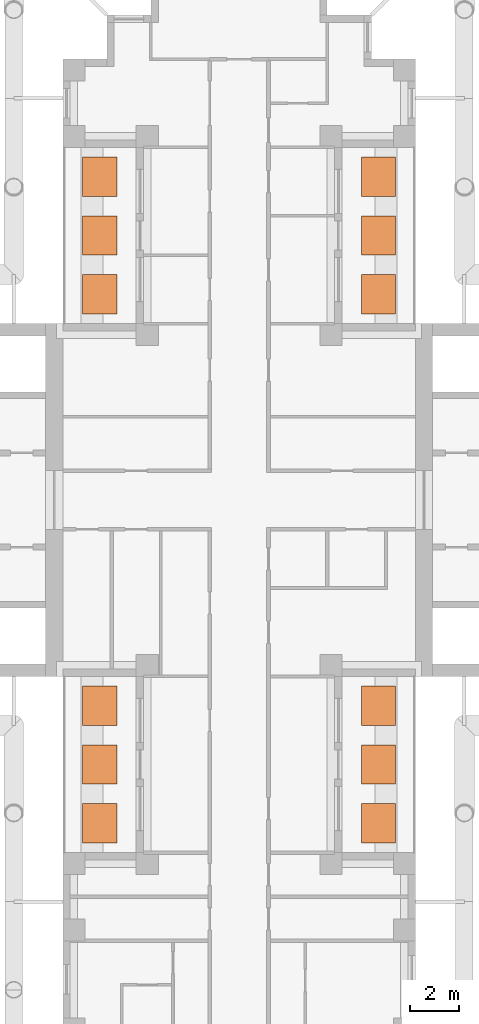
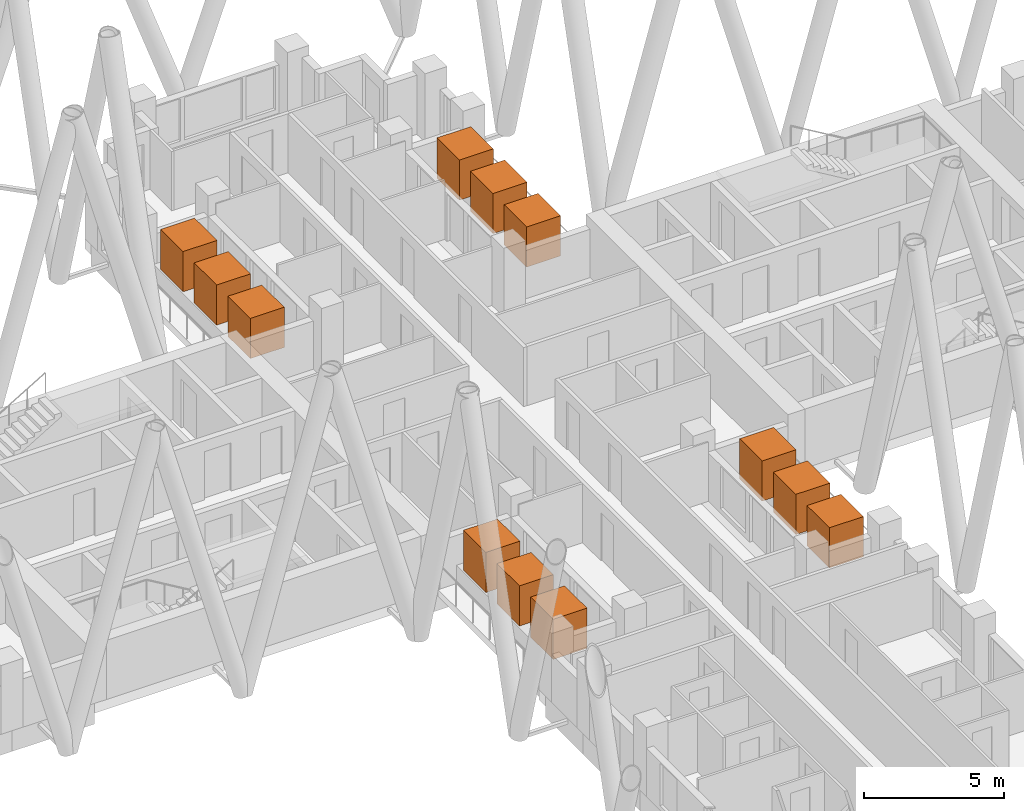
# One storey, part 14 of 14: 12 geographic elements.
"""IFC4 building model written with IfcOpenShell, lengths in metres."""

from ifc_helpers import new_model, si_unit, direction, frame, origin, origin_2d, place, context, subcontext, project, spatial, rectangle, extrude, material, element, save


model = new_model("IFC4")

# Units and contexts
model_context = context("Model", 3, precision=1e-05, world=origin(), true_north=direction((0.0, 1.0)))
body_context = subcontext(model_context, "Body", "Model", "MODEL_VIEW")
ifc_project = project(units=[si_unit("LENGTHUNIT", "METRE"), si_unit("AREAUNIT", "SQUARE_METRE"), si_unit("VOLUMEUNIT", "CUBIC_METRE"), si_unit("PLANEANGLEUNIT", "RADIAN"), si_unit("MASSUNIT", "GRAM", prefix="KILO")], contexts=[model_context])

# Site, building, storey
site_placement = place(None, origin())
site = spatial("IfcSite", under=ifc_project, at=site_placement, CompositionType="ELEMENT")
building_placement = place(site_placement, origin())
building = spatial("IfcBuilding", under=site, at=building_placement, Name="Fustian Cross Tower", CompositionType="ELEMENT")
storey_placement = place(building_placement, frame((0.0, 0.0, 102.89990234375)))
storey = spatial("IfcBuildingStorey", under=building, at=storey_placement, Name="L32", CompositionType="ELEMENT", Elevation=102.89990234375)

# Geographic elements
ifc_material = material(Name="Evergreen foliage")
for number, where, z_axis, x_axis, name in (
    (1, (5.68994140625, 8.39990234375, 0.800048828125), (0.0, 0.0, 1.0), (1.0, 0.0, 0.0), "TREE field maple"),
    (2, (5.68994140625, 10.800048828125, 0.800048828125), (0.0, 0.0, 1.0), (1.0, 0.0, 0.0), "TREE field maple"),
    (3, (5.68994140625, 13.199951171875, 0.800048828125), (0.0, 0.0, 1.0), (1.0, 0.0, 0.0), "TREE field maple"),
    (4, (-5.68994140625, 8.39990234375, 0.800048828125), (0.0, 0.0, 1.0), (1.0, 0.0, 0.0), "TREE field maple"),
    (5, (-5.68994140625, 10.800048828125, 0.800048828125), (0.0, 0.0, 1.0), (1.0, 0.0, 0.0), "TREE field maple"),
    (6, (-5.68994140625, 13.199951171875, 0.800048828125), (0.0, 0.0, 1.0), (1.0, 0.0, 0.0), "TREE field maple"),
    (7, (5.68994140625, -13.199951171875, 0.800048828125), (0.0, 0.0, 1.0), (1.0, 0.0, 0.0), "TREE field maple"),
    (8, (5.68994140625, -10.800048828125, 0.800048828125), (0.0, 0.0, 1.0), (1.0, 0.0, 0.0), "TREE field maple"),
    (9, (5.68994140625, -8.39990234375, 0.800048828125), (0.0, 0.0, 1.0), (1.0, 0.0, 0.0), "TREE field maple"),
    (10, (-5.68994140625, -13.199951171875, 0.800048828125), (0.0, 0.0, 1.0), (1.0, 0.0, 0.0), "TREE field maple"),
    (11, (-5.68994140625, -10.800048828125, 0.800048828125), (0.0, 0.0, 1.0), (1.0, 0.0, 0.0), "TREE field maple"),
    (12, (-5.68994140625, -8.39990234375, 0.800048828125), (0.0, 0.0, 1.0), (1.0, 0.0, 0.0), "TREE field maple"),
):
    element("IfcGeographicElement", number, at=place(storey_placement, frame(where, z_axis=z_axis, x_axis=x_axis)), inside=storey, material=ifc_material, Name=name, ObjectType="VEGETATION", PredefinedType="USERDEFINED", context=body_context, shape_type="SweptSolid", body=[
        extrude(rectangle(XDim=1.39990234375, YDim=1.60009765625, at=origin_2d()), origin(), (0.0, 0.0, 1.0), 1.75),
    ])

save(model, "model.ifc")
